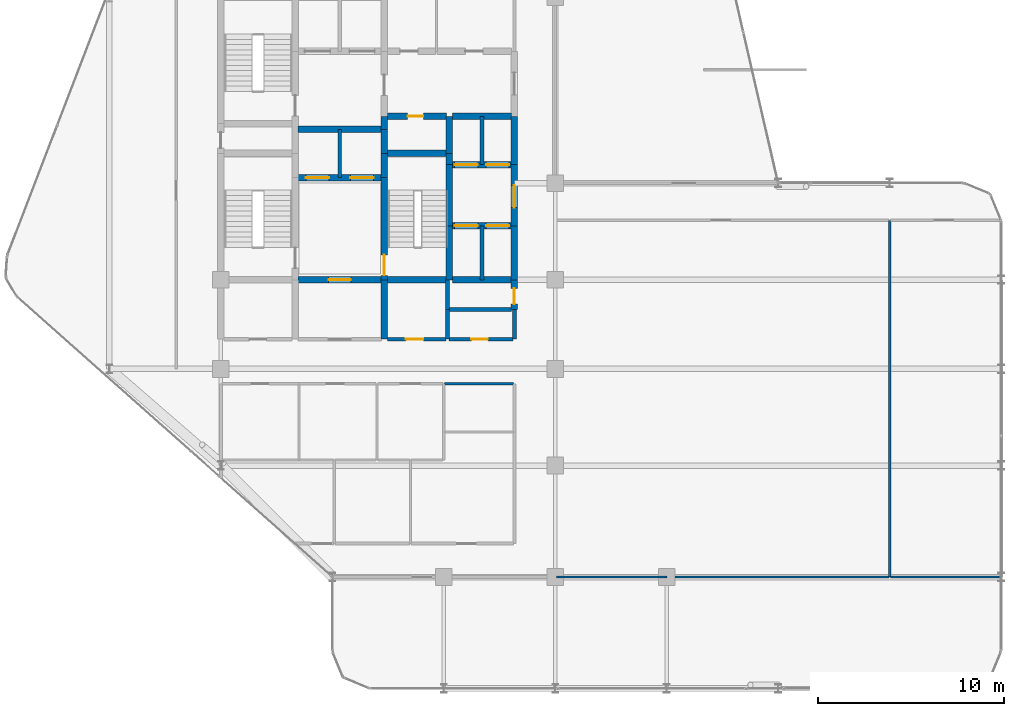
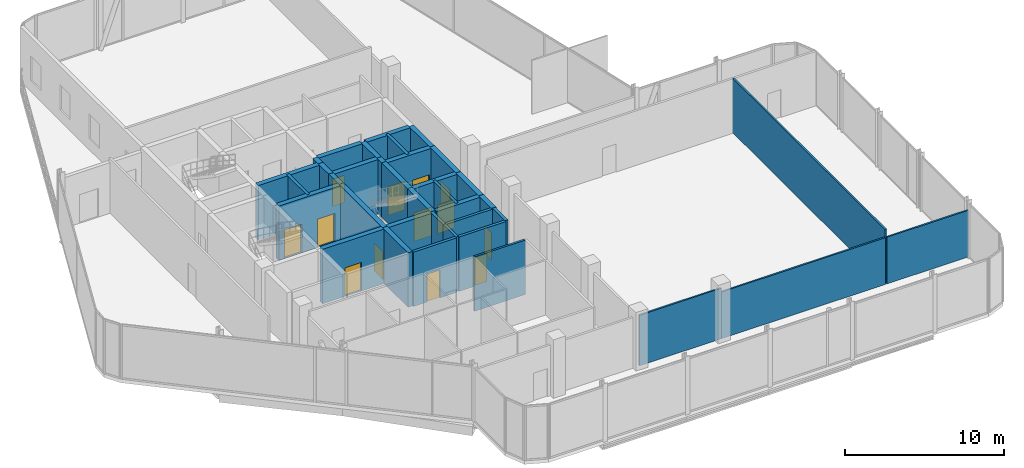
# One storey, part 28 of 31: 37 walls, 13 doors, 13 openings.
"""IFC4 building model written with IfcOpenShell, lengths in metres."""

import ifcopenshell
import ifcopenshell.guid

model = None  # the IFC model being written
_history = None  # IfcOwnerHistory: only IFC2X3 demands one
_inside = {}  # id of a spatial element -> (the spatial element, [elements in it])
_under = {}  # id of a project, library or spatial element -> (it, [spatial elements below it])
_declared = {}  # id of a project -> (the project, [libraries it declares])
_typed = {}  # id of a type object -> (the type object, [elements of that type])
_made_of = {}  # id of a material, layer set ... -> (it, [elements and type objects made of it])


def new_model(schema):
    """Start an empty IFC model of exactly this schema.

    Asked for "IFC4X3", IfcOpenShell would pick the latest addendum, in which some entities
    have other attributes; the version numbers below select the first issue.
    IFC2X3 requires an IfcOwnerHistory on every rooted entity: one is made here for all.
    """
    global model, _history
    if schema == "IFC4X3":
        model = ifcopenshell.file(schema_version=(4, 3, 0, 0))
    else:
        model = ifcopenshell.file(schema=schema)
    _inside.clear()
    _under.clear()
    _declared.clear()
    _typed.clear()
    _made_of.clear()
    _history = None
    if model.schema == "IFC2X3":
        org = make("IfcOrganization", Name="unknown")
        user = make(
            "IfcPersonAndOrganization",
            ThePerson=make("IfcPerson", FamilyName="unknown"),
            TheOrganization=org,
        )
        app = make(
            "IfcApplication",
            ApplicationDeveloper=org,
            Version="unknown",
            ApplicationFullName="unknown",
            ApplicationIdentifier="unknown",
        )
        _history = make(
            "IfcOwnerHistory",
            OwningUser=user,
            OwningApplication=app,
            ChangeAction="ADDED",
            CreationDate=0,
        )
    return model


def make(cls, **values):
    """One entity of the class cls with the attributes given. An attribute that is None is left unset."""
    return model.create_entity(
        cls, **{name: value for name, value in values.items() if value is not None}
    )


def rooted(cls, **values):
    """An entity with a GlobalId (a new one), such as an element, a storey or a relation."""
    return make(cls, GlobalId=ifcopenshell.guid.new(), OwnerHistory=_history, **values)


def si_unit(unit_type, name, prefix=None):
    """IfcSIUnit, for example si_unit("LENGTHUNIT", "METRE", prefix="MILLI")."""
    return make("IfcSIUnit", UnitType=unit_type, Prefix=prefix, Name=name)


def assignment(units):
    """IfcUnitAssignment: the units of a project."""
    return None if units is None else make("IfcUnitAssignment", Units=units)


def point(xyz):
    """IfcCartesianPoint."""
    return None if xyz is None else make("IfcCartesianPoint", Coordinates=xyz)


def direction(xyz):
    """IfcDirection."""
    return None if xyz is None else make("IfcDirection", DirectionRatios=xyz)


def frame(location, z_axis=None, x_axis=None):
    """IfcAxis2Placement3D, a coordinate frame: its origin and axes. An axis left out is left unset."""
    return make(
        "IfcAxis2Placement3D",
        Location=point(location),
        Axis=direction(z_axis),
        RefDirection=direction(x_axis),
    )


def frame_2d(location, x_axis=None):
    """IfcAxis2Placement2D, a coordinate frame in the plane: its origin and x axis."""
    return make(
        "IfcAxis2Placement2D", Location=point(location), RefDirection=direction(x_axis)
    )


def origin():
    """The frame at (0, 0, 0) with its axes left unset."""
    return frame((0.0, 0.0, 0.0))


def place(relative_to, where):
    """IfcLocalPlacement: puts the frame where relative to a parent placement (None: the world)."""
    return make(
        "IfcLocalPlacement", PlacementRelTo=relative_to, RelativePlacement=where
    )


def context(
    kind, dimensions, precision=None, world=None, true_north=None, identifier=None
):
    """IfcGeometricRepresentationContext, for example the 3D "Model" context."""
    return make(
        "IfcGeometricRepresentationContext",
        ContextIdentifier=identifier,
        ContextType=kind,
        CoordinateSpaceDimension=dimensions,
        Precision=precision,
        WorldCoordinateSystem=world,
        TrueNorth=true_north,
    )


def subcontext(parent, identifier, kind, view, scale=None):
    """IfcGeometricRepresentationSubContext, for example "Body" below "Model"."""
    return make(
        "IfcGeometricRepresentationSubContext",
        ContextIdentifier=identifier,
        ContextType=kind,
        ParentContext=parent,
        TargetScale=scale,
        TargetView=view,
    )


def project(units=None, contexts=None):
    """IfcProject with its units and contexts."""
    return rooted(
        "IfcProject",
        Name="project",
        RepresentationContexts=contexts,
        UnitsInContext=assignment(units),
    )


def spatial(cls, under=None, at=None, **own):
    """A site, building, storey or space (cls), placed at a placement, below another one or the project."""
    s = rooted(cls, ObjectPlacement=at, **own)
    if under is not None:
        _under.setdefault(under.id(), (under, []))[1].append(s)
    return s


def profile(cls, at=None, kind="AREA", **sizes):
    """A parametric profile (cls). Its sizes go by their IFC names, for example OverallWidth=200.0."""
    return make(cls, ProfileType=kind, Position=at, **sizes)


def rectangle(**sizes):
    """IfcRectangleProfileDef."""
    return profile("IfcRectangleProfileDef", **sizes)


def extrude(swept, where, along, depth):
    """IfcExtrudedAreaSolid: the profile swept, set in the frame where, extruded along a direction by depth."""
    return make(
        "IfcExtrudedAreaSolid",
        SweptArea=swept,
        Position=where,
        ExtrudedDirection=direction(along),
        Depth=depth,
    )


def shape(context_of_items, identifier, shape_type, items):
    """IfcShapeRepresentation: the items that make up one representation, for example the "Body"."""
    return make(
        "IfcShapeRepresentation",
        ContextOfItems=context_of_items,
        RepresentationIdentifier=identifier,
        RepresentationType=shape_type,
        Items=items,
    )


def material(Name=None, Category=None):
    """IfcMaterial."""
    return make("IfcMaterial", Name=Name, Category=Category)


def layer(
    of_material, thickness, ventilated=None, Name=None, Category=None, Priority=None
):
    """IfcMaterialLayer: one layer of a wall or slab, of a material (None: an air gap)."""
    return make(
        "IfcMaterialLayer",
        Material=of_material,
        LayerThickness=thickness,
        IsVentilated=ventilated,
        Name=Name,
        Category=Category,
        Priority=Priority,
    )


def layer_set(layers, Name=None):
    """IfcMaterialLayerSet."""
    return make("IfcMaterialLayerSet", MaterialLayers=layers, LayerSetName=Name)


def made_of(thing, what):
    """Note that an element or type object is made of a material, layer set ...; save() writes the relation."""
    if what is not None:
        _made_of.setdefault(what.id(), (what, []))[1].append(thing)
    return thing


def type_object(cls, material=None, **own):
    """A type object (cls), such as IfcWallType, which elements share."""
    return made_of(rooted(cls, **own), material)


def element(
    cls,
    number,
    at=None,
    inside=None,
    cuts=None,
    type_object=None,
    material=None,
    context=None,
    identifier="Body",
    shape_type=None,
    held_by="IfcProductDefinitionShape",
    body=None,
    shapes=None,
    **own,
):
    """One element of the class cls, such as IfcWall. Its Tag is "e" and its number.

    at: its placement. inside: the storey or other place that contains it. cuts: it is an
    opening in that element (IfcRelVoidsElement). A single representation is given by context,
    identifier, shape_type and body (its items); several are given by shapes. held_by: the class
    of the entity that holds the representations. save() writes the other relations.
    """
    e = rooted(cls, Tag="e%d" % number, ObjectPlacement=at, **own)
    if body is not None:
        shapes = [shape(context, identifier, shape_type, body)]
    if shapes is not None:
        e.Representation = make(held_by, Representations=shapes)
    if inside is not None:
        _inside.setdefault(inside.id(), (inside, []))[1].append(e)
    if cuts is not None:
        rooted(
            "IfcRelVoidsElement", RelatingBuildingElement=cuts, RelatedOpeningElement=e
        )
    if type_object is not None:
        _typed.setdefault(type_object.id(), (type_object, []))[1].append(e)
    return made_of(e, material)


def fill(opening, filler):
    """IfcRelFillsElement: the door or window that sits in an opening."""
    return rooted(
        "IfcRelFillsElement",
        RelatingOpeningElement=opening,
        RelatedBuildingElement=filler,
    )


def aggregate(whole, parts):
    """IfcRelAggregates: a whole, such as a stair, and the parts it consists of."""
    return rooted("IfcRelAggregates", RelatingObject=whole, RelatedObjects=parts)


def save(model, path):
    """Write the relations noted so far, then the file.

    IfcRelAggregates (storeys below a building ...), IfcRelContainedInSpatialStructure (elements
    in a storey), IfcRelDefinesByType, IfcRelAssociatesMaterial and IfcRelDeclares: one each for
    every whole, place, type object, material and project.
    """
    for whole, parts in _under.values():
        aggregate(whole, parts)
    for where, things in _inside.values():
        rooted(
            "IfcRelContainedInSpatialStructure",
            RelatedElements=things,
            RelatingStructure=where,
        )
    for kind, things in _typed.values():
        rooted("IfcRelDefinesByType", RelatedObjects=things, RelatingType=kind)
    for what, things in _made_of.values():
        rooted("IfcRelAssociatesMaterial", RelatedObjects=things, RelatingMaterial=what)
    for by, libraries in _declared.values():
        rooted("IfcRelDeclares", RelatingContext=by, RelatedDefinitions=libraries)
    model.write(path)


model = new_model("IFC4")

# Units and contexts
model_context = context("Model", 3, precision=1e-05, world=origin(), true_north=direction((0.0, 1.0)))
body_context = subcontext(model_context, "Body", "Model", "MODEL_VIEW")
ifc_project = project(units=[si_unit("LENGTHUNIT", "METRE"), si_unit("AREAUNIT", "SQUARE_METRE"), si_unit("VOLUMEUNIT", "CUBIC_METRE"), si_unit("PLANEANGLEUNIT", "RADIAN"), si_unit("MASSUNIT", "GRAM", prefix="KILO")], contexts=[model_context])

# Site, building, storey
site_placement = place(None, origin())
site = spatial("IfcSite", under=ifc_project, at=site_placement, CompositionType="ELEMENT")
building_placement = place(site_placement, origin())
building = spatial("IfcBuilding", under=site, at=building_placement, Name="Keshet Zoharim Tower", CompositionType="ELEMENT")
storey_placement = place(building_placement, frame((0.0, 0.0, 183.89990234375)))
storey = spatial("IfcBuildingStorey", under=building, at=storey_placement, Name="L45", CompositionType="ELEMENT", Elevation=183.89990234375)

# Walls
ifc_material_1 = material(Name="Gypsum Plasterboard", Category="gypsum")
ifc_layer_1 = layer(ifc_material_1, 0.14990234375)
ifc_layer_set_1 = layer_set([ifc_layer_1], Name="Gypsum Plasterboard")
wall_type_1 = type_object("IfcWallType", Name="WL-CLIN-150", PredefinedType="STANDARD", material=ifc_layer_set_1)
wall_1_placement = place(storey_placement, frame((27.044921875, 17.10009765625, 0.0), z_axis=(0.0, 0.0, 1.0), x_axis=(1.0, 0.0, 0.0)))
element("IfcWall", 1, at=wall_1_placement, inside=storey, type_object=wall_type_1, Name="L45 Interior Wall 063", PredefinedType="STANDARD", context=body_context, shape_type="SweptSolid", body=[
    extrude(rectangle(XDim=3.695068359375, YDim=0.14990234375, at=frame_2d((1.84765625, 0.0))), origin(), (0.0, 0.0, 1.0), 4.190185546875),
])
ifc_material_2 = material(Name="Concrete C60/75", Category="concrete")
ifc_layer_2 = layer(ifc_material_2, 0.35009765625)
ifc_layer_set_2 = layer_set([ifc_layer_2], Name="Concrete C60/75")
wall_type_2 = type_object("IfcWallType", Name="WL-CORE-350", PredefinedType="SHEAR", material=ifc_layer_set_2)
wall_2_placement = place(storey_placement, frame((23.800048828125, 19.5, 0.0), z_axis=(0.0, 0.0, 1.0), x_axis=(0.0, 1.0, 0.0)))
element("IfcWall", 2, at=wall_2_placement, inside=storey, type_object=wall_type_2, Name="L45 Core Shear Wall 018", PredefinedType="SHEAR", context=body_context, shape_type="SweptSolid", body=[
    extrude(rectangle(XDim=3.199951171875, YDim=0.35009765625, at=frame_2d((1.60009765625, 0.0))), origin(), (0.0, 0.0, 1.0), 4.190185546875),
])

# Wall, opening, door
wall_3_placement = place(storey_placement, frame((23.800048828125, 22.699951171875, 0.0), z_axis=(0.0, 0.0, 1.0), x_axis=(0.0, 1.0, 0.0)))
wall_3 = element("IfcWall", 3, at=wall_3_placement, inside=storey, type_object=wall_type_2, Name="L45 Core Shear Wall 019", PredefinedType="SHEAR", context=body_context, shape_type="SweptSolid", body=[
    extrude(rectangle(XDim=5.5, YDim=0.35009765625, at=frame_2d((2.75, 0.0))), origin(), (0.0, 0.0, 1.0), 4.190185546875),
])
opening_1_placement = place(wall_3_placement, frame((0.235107421875, 0.0, 0.0)))
opening_1 = element("IfcOpeningElement", 4, at=opening_1_placement, cuts=wall_3, Name="Opening D-F611", PredefinedType="OPENING", context=body_context, shape_type="SweptSolid", body=[
    extrude(rectangle(XDim=1.10009765625, YDim=2.14990234375, at=frame_2d((0.550048828125, 1.074951171875))), frame((0.0, 0.18505859375, 0.0), z_axis=(0.0, -1.0, 0.0), x_axis=(1.0, 0.0, 0.0)), (0.0, 0.0, 1.0), 0.3701171875),
])
ifc_material_3 = material(Name="Hardwood Timber", Category="wood")
door_type_1 = type_object("IfcDoorType", Name="DR-FD60-110", OperationType="NOTDEFINED", PredefinedType="DOOR", material=ifc_material_3)
door_1_placement = place(opening_1_placement, frame((1.10009765625, 0.0, 0.0), z_axis=(0.0, 0.0, 1.0), x_axis=(-1.0, 0.0, 0.0)))
door_1 = element("IfcDoor", 5, at=door_1_placement, inside=storey, type_object=door_type_1, Name="L45 Exit Stair ST-03 Fire Door", OperationType="SINGLE_SWING_RIGHT", OverallHeight=2.14990234375, OverallWidth=1.10009765625, PredefinedType="DOOR", context=body_context, shape_type="SweptSolid", body=[
    extrude(rectangle(XDim=1.10009765625, YDim=2.14990234375, at=frame_2d((0.550048828125, 1.074951171875))), frame((0.0, 0.02490234375, 0.0), z_axis=(0.0, -1.0, 0.0), x_axis=(1.0, 0.0, 0.0)), (0.0, 0.0, 1.0), 0.050048828125),
])
fill(opening_1, door_1)

# Walls
for number, where, z_axis, x_axis, name in (
    (6, (23.800048828125, 28.199951171875, 0.0), (0.0, 0.0, 1.0), (0.0, 1.0, 0.0), "L45 Core Shear Wall 020"),
    (7, (23.800048828125, 29.5, 0.0), (0.0, 0.0, 1.0), (0.0, 1.0, 0.0), "L45 Core Shear Wall 021"),
):
    element("IfcWall", number, at=place(storey_placement, frame(where, z_axis=z_axis, x_axis=x_axis)), inside=storey, type_object=wall_type_2, Name=name, PredefinedType="SHEAR", context=body_context, shape_type="SweptSolid", body=[
        extrude(rectangle(XDim=1.300048828125, YDim=0.35009765625, at=frame_2d((0.64990234375, 0.0))), origin(), (0.0, 0.0, 1.0), 4.190185546875),
    ])
wall_4_placement = place(storey_placement, frame((23.800048828125, 30.800048828125, 0.0), z_axis=(0.0, 0.0, 1.0), x_axis=(0.0, 1.0, 0.0)))
element("IfcWall", 8, at=wall_4_placement, inside=storey, type_object=wall_type_2, Name="L45 Core Shear Wall 022", PredefinedType="SHEAR", context=body_context, shape_type="SweptSolid", body=[
    extrude(rectangle(XDim=0.699951171875, YDim=0.35009765625, at=frame_2d((0.35009765625, 0.0))), origin(), (0.0, 0.0, 1.0), 4.190185546875),
])
wall_5_placement = place(storey_placement, frame((27.300048828125, 22.699951171875, 0.0), z_axis=(0.0, 0.0, 1.0), x_axis=(0.0, 1.0, 0.0)))
element("IfcWall", 9, at=wall_5_placement, inside=storey, type_object=wall_type_2, Name="L45 Core Shear Wall 031", PredefinedType="SHEAR", context=body_context, shape_type="SweptSolid", body=[
    extrude(rectangle(XDim=2.900146484375, YDim=0.35009765625, at=frame_2d((1.4501953125, 0.0))), origin(), (0.0, 0.0, 1.0), 4.190185546875),
])
wall_6_placement = place(storey_placement, frame((27.300048828125, 25.60009765625, 0.0), z_axis=(0.0, 0.0, 1.0), x_axis=(0.0, 1.0, 0.0)))
element("IfcWall", 10, at=wall_6_placement, inside=storey, type_object=wall_type_2, Name="L45 Core Shear Wall 032", PredefinedType="SHEAR", context=body_context, shape_type="SweptSolid", body=[
    extrude(rectangle(XDim=3.2998046875, YDim=0.35009765625, at=frame_2d((1.64990234375, 0.0))), origin(), (0.0, 0.0, 1.0), 4.190185546875),
])
wall_7_placement = place(storey_placement, frame((27.300048828125, 28.89990234375, 0.0), z_axis=(0.0, 0.0, 1.0), x_axis=(0.0, 1.0, 0.0)))
element("IfcWall", 11, at=wall_7_placement, inside=storey, type_object=wall_type_2, Name="L45 Core Shear Wall 033", PredefinedType="SHEAR", context=body_context, shape_type="SweptSolid", body=[
    extrude(rectangle(XDim=0.60009765625, YDim=0.35009765625, at=frame_2d((0.300048828125, 0.0))), origin(), (0.0, 0.0, 1.0), 4.190185546875),
])
wall_8_placement = place(storey_placement, frame((27.300048828125, 29.5, 0.0), z_axis=(0.0, 0.0, 1.0), x_axis=(0.0, 1.0, 0.0)))
element("IfcWall", 12, at=wall_8_placement, inside=storey, type_object=wall_type_2, Name="L45 Core Shear Wall 034", PredefinedType="SHEAR", context=body_context, shape_type="SweptSolid", body=[
    extrude(rectangle(XDim=2.0, YDim=0.35009765625, at=frame_2d((1.0, 0.0))), origin(), (0.0, 0.0, 1.0), 4.190185546875),
])

# Wall, opening, door
wall_9_placement = place(storey_placement, frame((30.800048828125, 21.10009765625, 0.0), z_axis=(0.0, 0.0, 1.0), x_axis=(0.0, 1.0, 0.0)))
wall_9 = element("IfcWall", 13, at=wall_9_placement, inside=storey, type_object=wall_type_2, Name="L45 Core Shear Wall 040", PredefinedType="SHEAR", context=body_context, shape_type="SweptSolid", body=[
    extrude(rectangle(XDim=1.599853515625, YDim=0.35009765625, at=frame_2d((0.7998046875, 0.0))), origin(), (0.0, 0.0, 1.0), 4.190185546875),
])
opening_2_placement = place(wall_9_placement, frame((0.287109375, 0.0, 0.0)))
opening_2 = element("IfcOpeningElement", 14, at=opening_2_placement, cuts=wall_9, Name="Opening D-RS85", PredefinedType="OPENING", context=body_context, shape_type="SweptSolid", body=[
    extrude(rectangle(XDim=0.85009765625, YDim=2.10009765625, at=frame_2d((0.425048828125, 1.050048828125))), frame((0.0, 0.18505859375, 0.0), z_axis=(0.0, -1.0, 0.0), x_axis=(1.0, 0.0, 0.0)), (0.0, 0.0, 1.0), 0.3701171875),
])
door_type_2 = type_object("IfcDoorType", Name="DR-RIS-085", OperationType="NOTDEFINED", PredefinedType="DOOR", material=ifc_material_3)
door_2_placement = place(opening_2_placement, origin())
door_2 = element("IfcDoor", 15, at=door_2_placement, inside=storey, type_object=door_type_2, Name="L45 Linen Store Door", OperationType="SINGLE_SWING_RIGHT", OverallHeight=2.10009765625, OverallWidth=0.85009765625, PredefinedType="DOOR", context=body_context, shape_type="SweptSolid", body=[
    extrude(rectangle(XDim=0.85009765625, YDim=2.10009765625, at=frame_2d((0.425048828125, 1.050048828125))), frame((0.0, 0.02490234375, 0.0), z_axis=(0.0, -1.0, 0.0), x_axis=(1.0, 0.0, 0.0)), (0.0, 0.0, 1.0), 0.050048828125),
])
fill(opening_2, door_2)

# Wall
wall_10_placement = place(storey_placement, frame((30.800048828125, 22.699951171875, 0.0), z_axis=(0.0, 0.0, 1.0), x_axis=(0.0, 1.0, 0.0)))
element("IfcWall", 16, at=wall_10_placement, inside=storey, type_object=wall_type_2, Name="L45 Core Shear Wall 041", PredefinedType="SHEAR", context=body_context, shape_type="SweptSolid", body=[
    extrude(rectangle(XDim=2.900146484375, YDim=0.35009765625, at=frame_2d((1.4501953125, 0.0))), origin(), (0.0, 0.0, 1.0), 4.190185546875),
])

# Wall, opening, door
wall_11_placement = place(storey_placement, frame((30.800048828125, 25.60009765625, 0.0), z_axis=(0.0, 0.0, 1.0), x_axis=(0.0, 1.0, 0.0)))
wall_11 = element("IfcWall", 17, at=wall_11_placement, inside=storey, type_object=wall_type_2, Name="L45 Core Shear Wall 042", PredefinedType="SHEAR", context=body_context, shape_type="SweptSolid", body=[
    extrude(rectangle(XDim=3.2998046875, YDim=0.35009765625, at=frame_2d((1.64990234375, 0.0))), origin(), (0.0, 0.0, 1.0), 4.190185546875),
])
opening_3_placement = place(wall_11_placement, frame((0.97802734375, 0.0, 0.0)))
opening_3 = element("IfcOpeningElement", 18, at=opening_3_placement, cuts=wall_11, Name="Opening D-F612", PredefinedType="OPENING", context=body_context, shape_type="SweptSolid", body=[
    extrude(rectangle(XDim=1.199951171875, YDim=2.199951171875, at=frame_2d((0.60009765625, 1.10009765625))), frame((0.0, 0.18505859375, 0.0), z_axis=(0.0, -1.0, 0.0), x_axis=(1.0, 0.0, 0.0)), (0.0, 0.0, 1.0), 0.3701171875),
])
door_type_3 = type_object("IfcDoorType", Name="DR-FD60-120", OperationType="NOTDEFINED", PredefinedType="DOOR", material=ifc_material_3)
door_3_placement = place(opening_3_placement, origin())
door_3 = element("IfcDoor", 19, at=door_3_placement, inside=storey, type_object=door_type_3, Name="L45 East Lift Lobby Fire Door", OperationType="SINGLE_SWING_LEFT", OverallHeight=2.199951171875, OverallWidth=1.199951171875, PredefinedType="DOOR", context=body_context, shape_type="SweptSolid", body=[
    extrude(rectangle(XDim=1.199951171875, YDim=2.199951171875, at=frame_2d((0.60009765625, 1.10009765625))), frame((0.0, 0.02490234375, 0.0), z_axis=(0.0, -1.0, 0.0), x_axis=(1.0, 0.0, 0.0)), (0.0, 0.0, 1.0), 0.050048828125),
])
fill(opening_3, door_3)

# Wall
wall_12_placement = place(storey_placement, frame((30.800048828125, 28.89990234375, 0.0), z_axis=(0.0, 0.0, 1.0), x_axis=(0.0, 1.0, 0.0)))
element("IfcWall", 20, at=wall_12_placement, inside=storey, type_object=wall_type_2, Name="L45 Core Shear Wall 043", PredefinedType="SHEAR", context=body_context, shape_type="SweptSolid", body=[
    extrude(rectangle(XDim=2.60009765625, YDim=0.35009765625, at=frame_2d((1.300048828125, 0.0))), origin(), (0.0, 0.0, 1.0), 4.190185546875),
])

# Wall, opening, door
wall_13_placement = place(storey_placement, frame((19.159912109375, 22.699951171875, 0.0), z_axis=(0.0, 0.0, 1.0), x_axis=(1.0, 0.0, 0.0)))
wall_13 = element("IfcWall", 21, at=wall_13_placement, inside=storey, type_object=wall_type_2, Name="L45 Core Shear Wall 070", PredefinedType="SHEAR", context=body_context, shape_type="SweptSolid", body=[
    extrude(rectangle(XDim=4.47998046875, YDim=0.35009765625, at=frame_2d((2.239990234375, 0.0))), origin(), (0.0, 0.0, 1.0), 4.190185546875),
])
opening_4_placement = place(wall_13_placement, frame((1.639892578125, 0.0, 0.0)))
opening_4 = element("IfcOpeningElement", 22, at=opening_4_placement, cuts=wall_13, Name="Opening D-F612", PredefinedType="OPENING", context=body_context, shape_type="SweptSolid", body=[
    extrude(rectangle(XDim=1.199951171875, YDim=2.199951171875, at=frame_2d((0.60009765625, 1.10009765625))), frame((0.0, 0.18505859375, 0.0), z_axis=(0.0, -1.0, 0.0), x_axis=(1.0, 0.0, 0.0)), (0.0, 0.0, 1.0), 0.3701171875),
])
door_4_placement = place(opening_4_placement, origin())
door_4 = element("IfcDoor", 23, at=door_4_placement, inside=storey, type_object=door_type_3, Name="L45 South Core Lobby Fire Door", OperationType="SINGLE_SWING_LEFT", OverallHeight=2.199951171875, OverallWidth=1.199951171875, PredefinedType="DOOR", context=body_context, shape_type="SweptSolid", body=[
    extrude(rectangle(XDim=1.199951171875, YDim=2.199951171875, at=frame_2d((0.60009765625, 1.10009765625))), frame((0.0, 0.02490234375, 0.0), z_axis=(0.0, -1.0, 0.0), x_axis=(1.0, 0.0, 0.0)), (0.0, 0.0, 1.0), 0.050048828125),
])
fill(opening_4, door_4)

# Walls
wall_14_placement = place(storey_placement, frame((23.9599609375, 22.699951171875, 0.0), z_axis=(0.0, 0.0, 1.0), x_axis=(1.0, 0.0, 0.0)))
element("IfcWall", 24, at=wall_14_placement, inside=storey, type_object=wall_type_2, Name="L45 Core Shear Wall 071", PredefinedType="SHEAR", context=body_context, shape_type="SweptSolid", body=[
    extrude(rectangle(XDim=3.155029296875, YDim=0.35009765625, at=frame_2d((1.57763671875, 0.0))), origin(), (0.0, 0.0, 1.0), 4.190185546875),
])
wall_15_placement = place(storey_placement, frame((27.4599609375, 22.699951171875, 0.0), z_axis=(0.0, 0.0, 1.0), x_axis=(1.0, 0.0, 0.0)))
element("IfcWall", 25, at=wall_15_placement, inside=storey, type_object=wall_type_2, Name="L45 Core Shear Wall 072", PredefinedType="SHEAR", context=body_context, shape_type="SweptSolid", body=[
    extrude(rectangle(XDim=3.179931640625, YDim=0.35009765625, at=frame_2d((1.58984375, 0.0))), origin(), (0.0, 0.0, 1.0), 4.190185546875),
])

# Wall, openings, doors
wall_16_placement = place(storey_placement, frame((27.4599609375, 25.60009765625, 0.0), z_axis=(0.0, 0.0, 1.0), x_axis=(1.0, 0.0, 0.0)))
wall_16 = element("IfcWall", 26, at=wall_16_placement, inside=storey, type_object=wall_type_2, Name="L45 Core Shear Wall 073", PredefinedType="SHEAR", context=body_context, shape_type="SweptSolid", body=[
    extrude(rectangle(XDim=3.179931640625, YDim=0.35009765625, at=frame_2d((1.58984375, 0.0))), origin(), (0.0, 0.0, 1.0), 4.190185546875),
])
opening_5_placement = place(wall_16_placement, frame((0.1201171875, 0.0, 0.0)))
opening_5 = element("IfcOpeningElement", 27, at=opening_5_placement, cuts=wall_16, Name="Opening LD-01", PredefinedType="OPENING", context=body_context, shape_type="SweptSolid", body=[
    extrude(rectangle(XDim=1.25, YDim=2.199951171875, at=frame_2d((0.625, 1.10009765625))), frame((0.0, 0.18505859375, 0.0), z_axis=(0.0, -1.0, 0.0), x_axis=(1.0, 0.0, 0.0)), (0.0, 0.0, 1.0), 0.3701171875),
])
opening_6_placement = place(wall_16_placement, frame((1.81005859375, 0.0, 0.0)))
opening_6 = element("IfcOpeningElement", 28, at=opening_6_placement, cuts=wall_16, Name="Opening LD-01", PredefinedType="OPENING", context=body_context, shape_type="SweptSolid", body=[
    extrude(rectangle(XDim=1.25, YDim=2.199951171875, at=frame_2d((0.625, 1.10009765625))), frame((0.0, 0.18505859375, 0.0), z_axis=(0.0, -1.0, 0.0), x_axis=(1.0, 0.0, 0.0)), (0.0, 0.0, 1.0), 0.3701171875),
])
ifc_material_4 = material(Name="Steel S355", Category="steel")
door_type_4 = type_object("IfcDoorType", Name="DR-LD01-125", OperationType="DOUBLE_DOOR_SLIDING", PredefinedType="DOOR", material=ifc_material_4)
door_5_placement = place(opening_5_placement, origin())
door_5 = element("IfcDoor", 29, at=door_5_placement, inside=storey, type_object=door_type_4, Name="L45 Passenger Lift Landing Door LF-07", OperationType="DOUBLE_DOOR_SLIDING", OverallHeight=2.199951171875, OverallWidth=1.25, PredefinedType="DOOR", context=body_context, shape_type="SweptSolid", body=[
    extrude(rectangle(XDim=1.25, YDim=2.199951171875, at=frame_2d((0.625, 1.10009765625))), frame((0.0, 0.02490234375, 0.0), z_axis=(0.0, -1.0, 0.0), x_axis=(1.0, 0.0, 0.0)), (0.0, 0.0, 1.0), 0.050048828125),
])
fill(opening_5, door_5)
door_6_placement = place(opening_6_placement, origin())
door_6 = element("IfcDoor", 30, at=door_6_placement, inside=storey, type_object=door_type_4, Name="L45 Passenger Lift Landing Door LF-08", OperationType="DOUBLE_DOOR_SLIDING", OverallHeight=2.199951171875, OverallWidth=1.25, PredefinedType="DOOR", context=body_context, shape_type="SweptSolid", body=[
    extrude(rectangle(XDim=1.25, YDim=2.199951171875, at=frame_2d((0.625, 1.10009765625))), frame((0.0, 0.02490234375, 0.0), z_axis=(0.0, -1.0, 0.0), x_axis=(1.0, 0.0, 0.0)), (0.0, 0.0, 1.0), 0.050048828125),
])
fill(opening_6, door_6)

wall_17_placement = place(storey_placement, frame((19.159912109375, 28.199951171875, 0.0), z_axis=(0.0, 0.0, 1.0), x_axis=(1.0, 0.0, 0.0)))
wall_17 = element("IfcWall", 31, at=wall_17_placement, inside=storey, type_object=wall_type_2, Name="L45 Core Shear Wall 077", PredefinedType="SHEAR", context=body_context, shape_type="SweptSolid", body=[
    extrude(rectangle(XDim=4.47998046875, YDim=0.35009765625, at=frame_2d((2.239990234375, 0.0))), origin(), (0.0, 0.0, 1.0), 4.190185546875),
])
opening_7_placement = place(wall_17_placement, frame((0.4150390625, 0.0, 0.0)))
opening_7 = element("IfcOpeningElement", 32, at=opening_7_placement, cuts=wall_17, Name="Opening LD-01", PredefinedType="OPENING", context=body_context, shape_type="SweptSolid", body=[
    extrude(rectangle(XDim=1.25, YDim=2.199951171875, at=frame_2d((0.625, 1.10009765625))), frame((0.0, 0.18505859375, 0.0), z_axis=(0.0, -1.0, 0.0), x_axis=(1.0, 0.0, 0.0)), (0.0, 0.0, 1.0), 0.3701171875),
])
opening_8_placement = place(wall_17_placement, frame((2.81494140625, 0.0, 0.0)))
opening_8 = element("IfcOpeningElement", 33, at=opening_8_placement, cuts=wall_17, Name="Opening LD-01", PredefinedType="OPENING", context=body_context, shape_type="SweptSolid", body=[
    extrude(rectangle(XDim=1.25, YDim=2.199951171875, at=frame_2d((0.625, 1.10009765625))), frame((0.0, 0.18505859375, 0.0), z_axis=(0.0, -1.0, 0.0), x_axis=(1.0, 0.0, 0.0)), (0.0, 0.0, 1.0), 0.3701171875),
])
door_7_placement = place(opening_7_placement, origin())
door_7 = element("IfcDoor", 34, at=door_7_placement, inside=storey, type_object=door_type_4, Name="L45 Passenger Lift Landing Door LF-09", OperationType="DOUBLE_DOOR_SLIDING", OverallHeight=2.199951171875, OverallWidth=1.25, PredefinedType="DOOR", context=body_context, shape_type="SweptSolid", body=[
    extrude(rectangle(XDim=1.25, YDim=2.199951171875, at=frame_2d((0.625, 1.10009765625))), frame((0.0, 0.02490234375, 0.0), z_axis=(0.0, -1.0, 0.0), x_axis=(1.0, 0.0, 0.0)), (0.0, 0.0, 1.0), 0.050048828125),
])
fill(opening_7, door_7)
door_8_placement = place(opening_8_placement, origin())
door_8 = element("IfcDoor", 35, at=door_8_placement, inside=storey, type_object=door_type_4, Name="L45 Passenger Lift Landing Door LF-10", OperationType="DOUBLE_DOOR_SLIDING", OverallHeight=2.199951171875, OverallWidth=1.25, PredefinedType="DOOR", context=body_context, shape_type="SweptSolid", body=[
    extrude(rectangle(XDim=1.25, YDim=2.199951171875, at=frame_2d((0.625, 1.10009765625))), frame((0.0, 0.02490234375, 0.0), z_axis=(0.0, -1.0, 0.0), x_axis=(1.0, 0.0, 0.0)), (0.0, 0.0, 1.0), 0.050048828125),
])
fill(opening_8, door_8)

wall_18_placement = place(storey_placement, frame((27.4599609375, 28.89990234375, 0.0), z_axis=(0.0, 0.0, 1.0), x_axis=(1.0, 0.0, 0.0)))
wall_18 = element("IfcWall", 36, at=wall_18_placement, inside=storey, type_object=wall_type_2, Name="L45 Core Shear Wall 078", PredefinedType="SHEAR", context=body_context, shape_type="SweptSolid", body=[
    extrude(rectangle(XDim=3.179931640625, YDim=0.35009765625, at=frame_2d((1.58984375, 0.0))), origin(), (0.0, 0.0, 1.0), 4.190185546875),
])
opening_9_placement = place(wall_18_placement, frame((0.1201171875, 0.0, 0.0)))
opening_9 = element("IfcOpeningElement", 37, at=opening_9_placement, cuts=wall_18, Name="Opening LD-01", PredefinedType="OPENING", context=body_context, shape_type="SweptSolid", body=[
    extrude(rectangle(XDim=1.25, YDim=2.199951171875, at=frame_2d((0.625, 1.10009765625))), frame((0.0, 0.18505859375, 0.0), z_axis=(0.0, -1.0, 0.0), x_axis=(1.0, 0.0, 0.0)), (0.0, 0.0, 1.0), 0.3701171875),
])
opening_10_placement = place(wall_18_placement, frame((1.81005859375, 0.0, 0.0)))
opening_10 = element("IfcOpeningElement", 38, at=opening_10_placement, cuts=wall_18, Name="Opening LD-01", PredefinedType="OPENING", context=body_context, shape_type="SweptSolid", body=[
    extrude(rectangle(XDim=1.25, YDim=2.199951171875, at=frame_2d((0.625, 1.10009765625))), frame((0.0, 0.18505859375, 0.0), z_axis=(0.0, -1.0, 0.0), x_axis=(1.0, 0.0, 0.0)), (0.0, 0.0, 1.0), 0.3701171875),
])
door_9_placement = place(opening_9_placement, origin())
door_9 = element("IfcDoor", 39, at=door_9_placement, inside=storey, type_object=door_type_4, Name="L45 Passenger Lift Landing Door LF-05", OperationType="DOUBLE_DOOR_SLIDING", OverallHeight=2.199951171875, OverallWidth=1.25, PredefinedType="DOOR", context=body_context, shape_type="SweptSolid", body=[
    extrude(rectangle(XDim=1.25, YDim=2.199951171875, at=frame_2d((0.625, 1.10009765625))), frame((0.0, 0.02490234375, 0.0), z_axis=(0.0, -1.0, 0.0), x_axis=(1.0, 0.0, 0.0)), (0.0, 0.0, 1.0), 0.050048828125),
])
fill(opening_9, door_9)
door_10_placement = place(opening_10_placement, origin())
door_10 = element("IfcDoor", 40, at=door_10_placement, inside=storey, type_object=door_type_4, Name="L45 Passenger Lift Landing Door LF-06", OperationType="DOUBLE_DOOR_SLIDING", OverallHeight=2.199951171875, OverallWidth=1.25, PredefinedType="DOOR", context=body_context, shape_type="SweptSolid", body=[
    extrude(rectangle(XDim=1.25, YDim=2.199951171875, at=frame_2d((0.625, 1.10009765625))), frame((0.0, 0.02490234375, 0.0), z_axis=(0.0, -1.0, 0.0), x_axis=(1.0, 0.0, 0.0)), (0.0, 0.0, 1.0), 0.050048828125),
])
fill(opening_10, door_10)

# Walls
wall_19_placement = place(storey_placement, frame((23.9599609375, 29.5, 0.0), z_axis=(0.0, 0.0, 1.0), x_axis=(1.0, 0.0, 0.0)))
element("IfcWall", 41, at=wall_19_placement, inside=storey, type_object=wall_type_2, Name="L45 Core Shear Wall 080", PredefinedType="SHEAR", context=body_context, shape_type="SweptSolid", body=[
    extrude(rectangle(XDim=3.179931640625, YDim=0.35009765625, at=frame_2d((1.58984375, 0.0))), origin(), (0.0, 0.0, 1.0), 4.190185546875),
])
wall_20_placement = place(storey_placement, frame((19.159912109375, 30.800048828125, 0.0), z_axis=(0.0, 0.0, 1.0), x_axis=(1.0, 0.0, 0.0)))
element("IfcWall", 42, at=wall_20_placement, inside=storey, type_object=wall_type_2, Name="L45 Core Shear Wall 081", PredefinedType="SHEAR", context=body_context, shape_type="SweptSolid", body=[
    extrude(rectangle(XDim=4.47998046875, YDim=0.35009765625, at=frame_2d((2.239990234375, 0.0))), origin(), (0.0, 0.0, 1.0), 4.190185546875),
])

# Wall, opening, door
wall_21_placement = place(storey_placement, frame((23.9599609375, 31.5, 0.0), z_axis=(0.0, 0.0, 1.0), x_axis=(1.0, 0.0, 0.0)))
wall_21 = element("IfcWall", 43, at=wall_21_placement, inside=storey, type_object=wall_type_2, Name="L45 Core Shear Wall 083", PredefinedType="SHEAR", context=body_context, shape_type="SweptSolid", body=[
    extrude(rectangle(XDim=3.179931640625, YDim=0.35009765625, at=frame_2d((1.58984375, 0.0))), origin(), (0.0, 0.0, 1.0), 4.190185546875),
])
opening_11_placement = place(wall_21_placement, frame((1.093994140625, 0.0, 0.0)))
opening_11 = element("IfcOpeningElement", 44, at=opening_11_placement, cuts=wall_21, Name="Opening D-RS85", PredefinedType="OPENING", context=body_context, shape_type="SweptSolid", body=[
    extrude(rectangle(XDim=0.85009765625, YDim=2.10009765625, at=frame_2d((0.425048828125, 1.050048828125))), frame((0.0, 0.18505859375, 0.0), z_axis=(0.0, -1.0, 0.0), x_axis=(1.0, 0.0, 0.0)), (0.0, 0.0, 1.0), 0.3701171875),
])
door_11_placement = place(opening_11_placement, origin())
door_11 = element("IfcDoor", 45, at=door_11_placement, inside=storey, type_object=door_type_2, Name="L45 Telecom Riser Access Cupboard Door", OperationType="SINGLE_SWING_LEFT", OverallHeight=2.10009765625, OverallWidth=0.85009765625, PredefinedType="DOOR", context=body_context, shape_type="SweptSolid", body=[
    extrude(rectangle(XDim=0.85009765625, YDim=2.10009765625, at=frame_2d((0.425048828125, 1.050048828125))), frame((0.0, 0.02490234375, 0.0), z_axis=(0.0, -1.0, 0.0), x_axis=(1.0, 0.0, 0.0)), (0.0, 0.0, 1.0), 0.050048828125),
])
fill(opening_11, door_11)

# Walls
wall_22_placement = place(storey_placement, frame((27.4599609375, 31.5, 0.0), z_axis=(0.0, 0.0, 1.0), x_axis=(1.0, 0.0, 0.0)))
element("IfcWall", 46, at=wall_22_placement, inside=storey, type_object=wall_type_2, Name="L45 Core Shear Wall 084", PredefinedType="SHEAR", context=body_context, shape_type="SweptSolid", body=[
    extrude(rectangle(XDim=3.179931640625, YDim=0.35009765625, at=frame_2d((1.58984375, 0.0))), origin(), (0.0, 0.0, 1.0), 4.190185546875),
])
ifc_material_5 = material(Name="Concrete C50/60", Category="concrete")
ifc_layer_3 = layer(ifc_material_5, 0.199951171875)
ifc_layer_set_3 = layer_set([ifc_layer_3], Name="Concrete C50/60")
wall_type_3 = type_object("IfcWallType", Name="WL-FIRE-200", PredefinedType="STANDARD", material=ifc_layer_set_3)
wall_23_placement = place(storey_placement, frame((21.39990234375, 28.199951171875, 0.0), z_axis=(0.0, 0.0, 1.0), x_axis=(0.0, 1.0, 0.0)))
element("IfcWall", 47, at=wall_23_placement, inside=storey, type_object=wall_type_3, Name="L45 Interior Wall 015", PredefinedType="STANDARD", context=body_context, shape_type="SweptSolid", body=[
    extrude(rectangle(XDim=2.60009765625, YDim=0.199951171875, at=frame_2d((1.300048828125, 0.0))), origin(), (0.0, 0.0, 1.0), 4.190185546875),
])
wall_24_placement = place(storey_placement, frame((27.199951171875, 19.5, 0.0), z_axis=(0.0, 0.0, 1.0), x_axis=(0.0, 1.0, 0.0)))
element("IfcWall", 48, at=wall_24_placement, inside=storey, type_object=wall_type_3, Name="L45 Interior Wall 029", PredefinedType="STANDARD", context=body_context, shape_type="SweptSolid", body=[
    extrude(rectangle(XDim=1.60009765625, YDim=0.199951171875, at=frame_2d((0.800048828125, 0.0))), origin(), (0.0, 0.0, 1.0), 4.190185546875),
])
wall_25_placement = place(storey_placement, frame((27.199951171875, 21.10009765625, 0.0), z_axis=(0.0, 0.0, 1.0), x_axis=(0.0, 1.0, 0.0)))
element("IfcWall", 49, at=wall_25_placement, inside=storey, type_object=wall_type_3, Name="L45 Interior Wall 030", PredefinedType="STANDARD", context=body_context, shape_type="SweptSolid", body=[
    extrude(rectangle(XDim=1.599853515625, YDim=0.199951171875, at=frame_2d((0.7998046875, 0.0))), origin(), (0.0, 0.0, 1.0), 4.190185546875),
])
wall_26_placement = place(storey_placement, frame((29.050048828125, 22.699951171875, 0.0), z_axis=(0.0, 0.0, 1.0), x_axis=(0.0, 1.0, 0.0)))
element("IfcWall", 50, at=wall_26_placement, inside=storey, type_object=wall_type_3, Name="L45 Interior Wall 035", PredefinedType="STANDARD", context=body_context, shape_type="SweptSolid", body=[
    extrude(rectangle(XDim=2.900146484375, YDim=0.199951171875, at=frame_2d((1.4501953125, 0.0))), origin(), (0.0, 0.0, 1.0), 4.190185546875),
])
wall_27_placement = place(storey_placement, frame((29.050048828125, 28.89990234375, 0.0), z_axis=(0.0, 0.0, 1.0), x_axis=(0.0, 1.0, 0.0)))
element("IfcWall", 51, at=wall_27_placement, inside=storey, type_object=wall_type_3, Name="L45 Interior Wall 036", PredefinedType="STANDARD", context=body_context, shape_type="SweptSolid", body=[
    extrude(rectangle(XDim=2.60009765625, YDim=0.199951171875, at=frame_2d((1.300048828125, 0.0))), origin(), (0.0, 0.0, 1.0), 4.190185546875),
])
wall_28_placement = place(storey_placement, frame((30.800048828125, 19.5, 0.0), z_axis=(0.0, 0.0, 1.0), x_axis=(0.0, 1.0, 0.0)))
element("IfcWall", 52, at=wall_28_placement, inside=storey, type_object=wall_type_3, Name="L45 Interior Wall 039", PredefinedType="STANDARD", context=body_context, shape_type="SweptSolid", body=[
    extrude(rectangle(XDim=1.60009765625, YDim=0.199951171875, at=frame_2d((0.800048828125, 0.0))), origin(), (0.0, 0.0, 1.0), 4.190185546875),
])

# Wall, opening, door
wall_29_placement = place(storey_placement, frame((23.9599609375, 19.5, 0.0), z_axis=(0.0, 0.0, 1.0), x_axis=(1.0, 0.0, 0.0)))
wall_29 = element("IfcWall", 53, at=wall_29_placement, inside=storey, type_object=wall_type_3, Name="L45 Interior Wall 066", PredefinedType="STANDARD", context=body_context, shape_type="SweptSolid", body=[
    extrude(rectangle(XDim=3.155029296875, YDim=0.199951171875, at=frame_2d((1.57763671875, 0.0))), origin(), (0.0, 0.0, 1.0), 4.190185546875),
])
opening_12_placement = place(wall_29_placement, frame((0.990966796875, 0.0, 0.0)))
opening_12 = element("IfcOpeningElement", 54, at=opening_12_placement, cuts=wall_29, Name="Opening D-F695", PredefinedType="OPENING", context=body_context, shape_type="SweptSolid", body=[
    extrude(rectangle(XDim=0.949951171875, YDim=2.14990234375, at=frame_2d((0.47509765625, 1.074951171875))), frame((0.0, 0.10986328125, 0.0), z_axis=(0.0, -1.0, 0.0), x_axis=(1.0, 0.0, 0.0)), (0.0, 0.0, 1.0), 0.219970703125),
])
door_type_5 = type_object("IfcDoorType", Name="DR-FD60-095", OperationType="NOTDEFINED", PredefinedType="DOOR", material=ifc_material_3)
door_12_placement = place(opening_12_placement, origin())
door_12 = element("IfcDoor", 55, at=door_12_placement, inside=storey, type_object=door_type_5, Name="L45 Utility Room Door", OperationType="SINGLE_SWING_LEFT", OverallHeight=2.14990234375, OverallWidth=0.949951171875, PredefinedType="DOOR", context=body_context, shape_type="SweptSolid", body=[
    extrude(rectangle(XDim=0.949951171875, YDim=2.14990234375, at=frame_2d((0.47509765625, 1.074951171875))), frame((0.0, 0.02490234375, 0.0), z_axis=(0.0, -1.0, 0.0), x_axis=(1.0, 0.0, 0.0)), (0.0, 0.0, 1.0), 0.050048828125),
])
fill(opening_12, door_12)

wall_30_placement = place(storey_placement, frame((27.284912109375, 19.5, 0.0), z_axis=(0.0, 0.0, 1.0), x_axis=(1.0, 0.0, 0.0)))
wall_30 = element("IfcWall", 56, at=wall_30_placement, inside=storey, type_object=wall_type_3, Name="L45 Interior Wall 067", PredefinedType="STANDARD", context=body_context, shape_type="SweptSolid", body=[
    extrude(rectangle(XDim=3.43017578125, YDim=0.199951171875, at=frame_2d((1.715087890625, 0.0))), origin(), (0.0, 0.0, 1.0), 4.190185546875),
])
opening_13_placement = place(wall_30_placement, frame((1.19189453125, 0.0, 0.0)))
opening_13 = element("IfcOpeningElement", 57, at=opening_13_placement, cuts=wall_30, Name="Opening D-F690", PredefinedType="OPENING", context=body_context, shape_type="SweptSolid", body=[
    extrude(rectangle(XDim=0.89990234375, YDim=2.14990234375, at=frame_2d((0.449951171875, 1.074951171875))), frame((0.0, 0.10986328125, 0.0), z_axis=(0.0, -1.0, 0.0), x_axis=(1.0, 0.0, 0.0)), (0.0, 0.0, 1.0), 0.219970703125),
])
door_type_6 = type_object("IfcDoorType", Name="DR-FD60-090", OperationType="NOTDEFINED", PredefinedType="DOOR", material=ifc_material_3)
door_13_placement = place(opening_13_placement, origin())
door_13 = element("IfcDoor", 58, at=door_13_placement, inside=storey, type_object=door_type_6, Name="L45 Valve Room Door", OperationType="SINGLE_SWING_RIGHT", OverallHeight=2.14990234375, OverallWidth=0.89990234375, PredefinedType="DOOR", context=body_context, shape_type="SweptSolid", body=[
    extrude(rectangle(XDim=0.89990234375, YDim=2.14990234375, at=frame_2d((0.449951171875, 1.074951171875))), frame((0.0, 0.02490234375, 0.0), z_axis=(0.0, -1.0, 0.0), x_axis=(1.0, 0.0, 0.0)), (0.0, 0.0, 1.0), 0.050048828125),
])
fill(opening_13, door_13)

# Walls
wall_31_placement = place(storey_placement, frame((27.284912109375, 21.10009765625, 0.0), z_axis=(0.0, 0.0, 1.0), x_axis=(1.0, 0.0, 0.0)))
element("IfcWall", 59, at=wall_31_placement, inside=storey, type_object=wall_type_3, Name="L45 Interior Wall 068", PredefinedType="STANDARD", context=body_context, shape_type="SweptSolid", body=[
    extrude(rectangle(XDim=3.35498046875, YDim=0.199951171875, at=frame_2d((1.677490234375, 0.0))), origin(), (0.0, 0.0, 1.0), 4.190185546875),
])
ifc_layer_4 = layer(ifc_material_1, 0.1201171875)
ifc_layer_set_4 = layer_set([ifc_layer_4], Name="Gypsum Plasterboard")
wall_type_4 = type_object("IfcWallType", Name="WL-PART-120", PredefinedType="PARTITIONING", material=ifc_layer_set_4)
wall_32_placement = place(storey_placement, frame((51.0, 6.699951171875, 0.0), z_axis=(0.0, 0.0, 1.0), x_axis=(0.0, 1.0, 0.0)))
element("IfcWall", 60, at=wall_32_placement, inside=storey, type_object=wall_type_4, Name="L45 Interior Wall 049", PredefinedType="PARTITIONING", context=body_context, shape_type="SweptSolid", body=[
    extrude(rectangle(XDim=19.199951171875, YDim=0.1201171875, at=frame_2d((9.60009765625, 0.0))), origin(), (0.0, 0.0, 1.0), 4.190185546875),
])
wall_33_placement = place(storey_placement, frame((33.06005859375, 6.699951171875, 0.0), z_axis=(0.0, 0.0, 1.0), x_axis=(1.0, 0.0, 0.0)))
element("IfcWall", 61, at=wall_33_placement, inside=storey, type_object=wall_type_4, Name="L45 Interior Wall 051", PredefinedType="PARTITIONING", context=body_context, shape_type="SweptSolid", body=[
    extrude(rectangle(XDim=5.93994140625, YDim=0.1201171875, at=frame_2d((2.969970703125, 0.0))), origin(), (0.0, 0.0, 1.0), 3.89013671875),
])
wall_34_placement = place(storey_placement, frame((51.044921875, 6.699951171875, 0.0), z_axis=(0.0, 0.0, 1.0), x_axis=(1.0, 0.0, 0.0)))
element("IfcWall", 62, at=wall_34_placement, inside=storey, type_object=wall_type_4, Name="L45 Interior Wall 052", PredefinedType="PARTITIONING", context=body_context, shape_type="SweptSolid", body=[
    extrude(rectangle(XDim=5.945068359375, YDim=0.1201171875, at=frame_2d((2.97265625, 0.0))), origin(), (0.0, 0.0, 1.0), 3.590087890625),
])
wall_35_placement = place(storey_placement, frame((39.0, 6.699951171875, 0.0), z_axis=(0.0, 0.0, 1.0), x_axis=(1.0, 0.0, 0.0)))
element("IfcWall", 63, at=wall_35_placement, inside=storey, type_object=wall_type_4, Name="L45 Interior Wall 051 Part 2", PredefinedType="PARTITIONING", context=body_context, shape_type="SweptSolid", body=[
    extrude(rectangle(XDim=11.955078125, YDim=0.1201171875, at=frame_2d((5.9775390625, 0.0))), origin(), (0.0, 0.0, 1.0), 3.590087890625),
])

save(model, "model.ifc")
